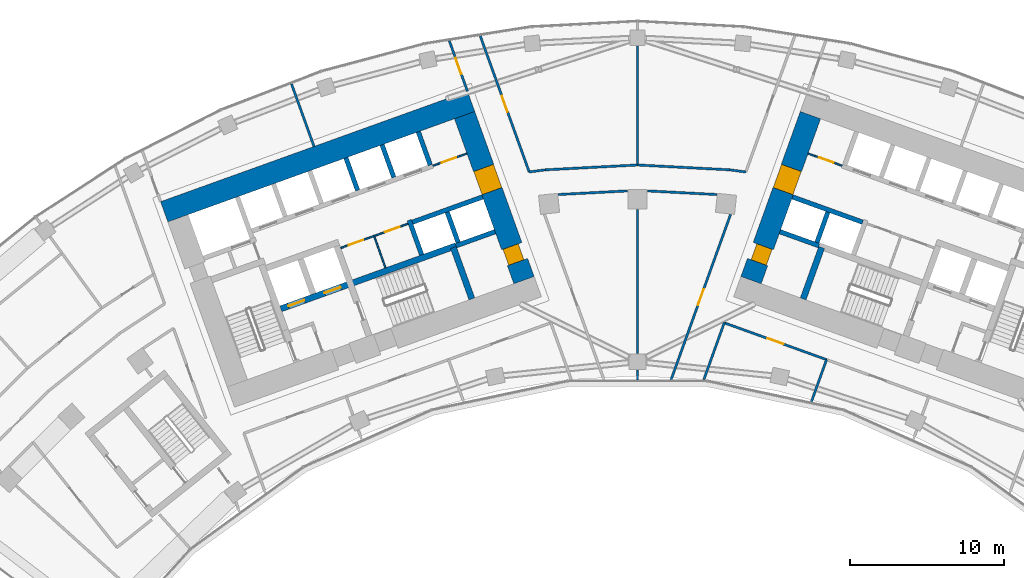
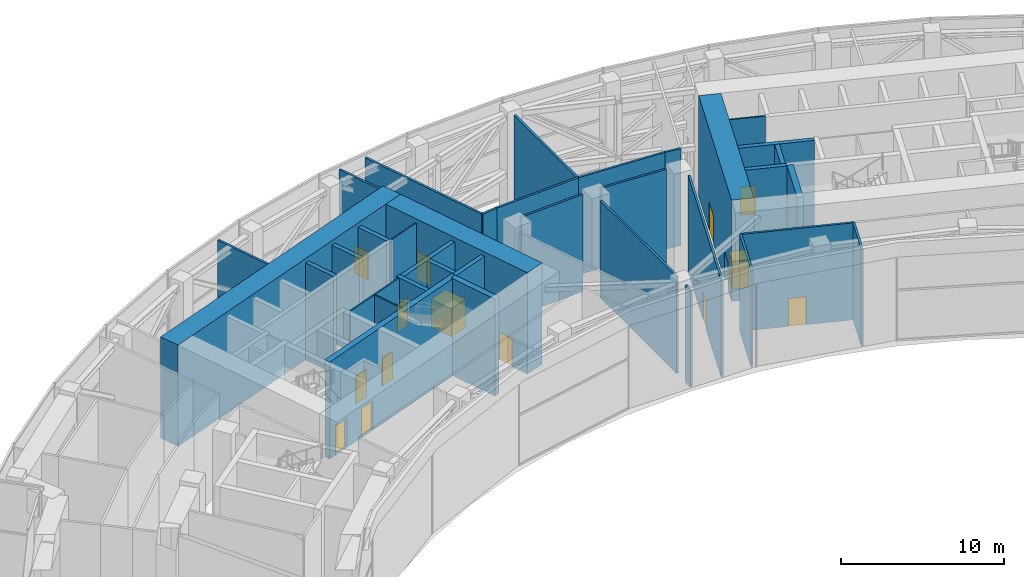
# One storey, part 25 of 32: 36 walls, 14 doors, 14 openings.
"""IFC4 building model written with IfcOpenShell, lengths in metres."""

from ifc_helpers import new_model, si_unit, direction, frame, frame_2d, origin, place, context, subcontext, project, spatial, rectangle, extrude, material, layer, layer_set, type_object, element, fill, save


model = new_model("IFC4")

# Units and contexts
model_context = context("Model", 3, precision=1e-05, world=origin(), true_north=direction((0.0, 1.0)))
body_context = subcontext(model_context, "Body", "Model", "MODEL_VIEW")
ifc_project = project(units=[si_unit("LENGTHUNIT", "METRE"), si_unit("AREAUNIT", "SQUARE_METRE"), si_unit("VOLUMEUNIT", "CUBIC_METRE"), si_unit("PLANEANGLEUNIT", "RADIAN"), si_unit("MASSUNIT", "GRAM", prefix="KILO")], contexts=[model_context])

# Site, building, storey
site_placement = place(None, origin())
site = spatial("IfcSite", under=ifc_project, at=site_placement, CompositionType="ELEMENT")
building_placement = place(site_placement, origin())
building = spatial("IfcBuilding", under=site, at=building_placement, Name="Stone Belt Terrace Tower", CompositionType="ELEMENT")
storey_placement = place(building_placement, frame((0.0, 0.0, 193.39990234375)))
storey = spatial("IfcBuildingStorey", under=building, at=storey_placement, Name="L47", CompositionType="ELEMENT", Elevation=193.39990234375)

# Wall, openings, doors
ifc_material_1 = material(Name="Plasterboard partition")
ifc_layer_1 = layer(ifc_material_1, 0.10009765625)
ifc_layer_set_1 = layer_set([ifc_layer_1], Name="Core partition 100")
wall_type_1 = type_object("IfcWallType", Name="Core partition 100", PredefinedType="PARTITIONING", material=ifc_layer_set_1)
wall_1_placement = place(storey_placement, frame((-19.29052734375, 51.829833984375, 0.0), z_axis=(0.0, 0.0, 1.0), x_axis=(0.940930240745, 0.338600475563, 0.0)))
wall_1 = element("IfcWall", 1, at=wall_1_placement, inside=storey, type_object=wall_type_1, Name="Core A wall", PredefinedType="PARTITIONING", context=body_context, shape_type="SweptSolid", body=[
    extrude(rectangle(XDim=4.64990234375, YDim=0.10009765625, at=frame_2d((2.324951171875, 0.0))), origin(), (0.0, 0.0, 1.0), 7.280029296875),
])
opening_1_placement = place(wall_1_placement, frame((0.550048828125, 0.0, 0.0)))
opening_1 = element("IfcOpeningElement", 2, at=opening_1_placement, cuts=wall_1, Name="Opening L47-C02", PredefinedType="OPENING", context=body_context, shape_type="SweptSolid", body=[
    extrude(rectangle(XDim=1.0, YDim=2.10009765625, at=frame_2d((0.5, 1.050048828125))), frame((0.0, 0.06005859375, 0.0), z_axis=(0.0, -1.0, 0.0), x_axis=(1.0, 0.0, 0.0)), (0.0, 0.0, 1.0), 0.1201171875),
])
opening_2_placement = place(wall_1_placement, frame((3.050048828125, 0.0, 0.0)))
opening_2 = element("IfcOpeningElement", 3, at=opening_2_placement, cuts=wall_1, Name="Opening L47-C03", PredefinedType="OPENING", context=body_context, shape_type="SweptSolid", body=[
    extrude(rectangle(XDim=1.0, YDim=2.10009765625, at=frame_2d((0.5, 1.050048828125))), frame((0.0, 0.06005859375, 0.0), z_axis=(0.0, -1.0, 0.0), x_axis=(1.0, 0.0, 0.0)), (0.0, 0.0, 1.0), 0.1201171875),
])
ifc_material_2 = material(Name="Timber door leaf", Category="wood")
door_type_1 = type_object("IfcDoorType", Name="Core room door 1000", OperationType="SINGLE_SWING_LEFT", PredefinedType="DOOR", material=ifc_material_2)
door_1_placement = place(opening_1_placement, origin())
door_1 = element("IfcDoor", 4, at=door_1_placement, inside=storey, type_object=door_type_1, Name="Door to Telecommunications room core A", OperationType="SINGLE_SWING_RIGHT", OverallHeight=2.10009765625, OverallWidth=1.0, PredefinedType="DOOR", context=body_context, shape_type="SweptSolid", body=[
    extrude(rectangle(XDim=1.0, YDim=2.10009765625, at=frame_2d((0.5, 1.050048828125))), frame((0.0, 0.02490234375, 0.0), z_axis=(0.0, -1.0, 0.0), x_axis=(1.0, 0.0, 0.0)), (0.0, 0.0, 1.0), 0.050048828125),
])
fill(opening_1, door_1)
door_2_placement = place(opening_2_placement, origin())
door_2 = element("IfcDoor", 5, at=door_2_placement, inside=storey, type_object=door_type_1, Name="Door to Archive store core A", OperationType="SINGLE_SWING_LEFT", OverallHeight=2.10009765625, OverallWidth=1.0, PredefinedType="DOOR", context=body_context, shape_type="SweptSolid", body=[
    extrude(rectangle(XDim=1.0, YDim=2.10009765625, at=frame_2d((0.5, 1.050048828125))), frame((0.0, 0.02490234375, 0.0), z_axis=(0.0, -1.0, 0.0), x_axis=(1.0, 0.0, 0.0)), (0.0, 0.0, 1.0), 0.050048828125),
])
fill(opening_2, door_2)

# Wall
wall_2_placement = place(storey_placement, frame((-16.38134765625, 50.53857421875, 0.0), z_axis=(0.0, 0.0, 1.0), x_axis=(-0.338622960269, 0.940922149159, 0.0)))
element("IfcWall", 6, at=wall_2_placement, inside=storey, type_object=wall_type_1, Name="Core A wall", PredefinedType="PARTITIONING", context=body_context, shape_type="SweptSolid", body=[
    extrude(rectangle(XDim=2.14990234375, YDim=0.10009765625, at=frame_2d((1.074951171875, 0.0))), origin(), (0.0, 0.0, 1.0), 7.280029296875),
])

# Wall, opening, door
wall_3_placement = place(storey_placement, frame((-13.29638671875, 57.17529296875, 0.0), z_axis=(0.0, 0.0, 1.0), x_axis=(0.940904627055, 0.338671644496, 0.0)))
wall_3 = element("IfcWall", 7, at=wall_3_placement, inside=storey, type_object=wall_type_1, Name="Core A wall", PredefinedType="PARTITIONING", context=body_context, shape_type="SweptSolid", body=[
    extrude(rectangle(XDim=2.35009765625, YDim=0.10009765625, at=frame_2d((1.175048828125, 0.0))), origin(), (0.0, 0.0, 1.0), 7.280029296875),
])
opening_3_placement = place(wall_3_placement, frame((0.60009765625, 0.0, 0.0)))
opening_3 = element("IfcOpeningElement", 8, at=opening_3_placement, cuts=wall_3, Name="Opening L47-C01", PredefinedType="OPENING", context=body_context, shape_type="SweptSolid", body=[
    extrude(rectangle(XDim=1.0, YDim=2.10009765625, at=frame_2d((0.5, 1.050048828125))), frame((0.0, 0.06005859375, 0.0), z_axis=(0.0, -1.0, 0.0), x_axis=(1.0, 0.0, 0.0)), (0.0, 0.0, 1.0), 0.1201171875),
])
door_3_placement = place(opening_3_placement, origin())
door_3 = element("IfcDoor", 9, at=door_3_placement, inside=storey, type_object=door_type_1, Name="Door to Staff pantry core A", OperationType="SINGLE_SWING_RIGHT", OverallHeight=2.10009765625, OverallWidth=1.0, PredefinedType="DOOR", context=body_context, shape_type="SweptSolid", body=[
    extrude(rectangle(XDim=1.0, YDim=2.10009765625, at=frame_2d((0.5, 1.050048828125))), frame((0.0, 0.02490234375, 0.0), z_axis=(0.0, -1.0, 0.0), x_axis=(1.0, 0.0, 0.0)), (0.0, 0.0, 1.0), 0.050048828125),
])
fill(opening_3, door_3)

wall_4_placement = place(storey_placement, frame((13.29638671875, 57.17529296875, 0.0), z_axis=(0.0, 0.0, 1.0), x_axis=(-0.940904627055, 0.338671644496, 0.0)))
wall_4 = element("IfcWall", 10, at=wall_4_placement, inside=storey, type_object=wall_type_1, Name="Core B wall", PredefinedType="PARTITIONING", context=body_context, shape_type="SweptSolid", body=[
    extrude(rectangle(XDim=2.35009765625, YDim=0.10009765625, at=frame_2d((1.175048828125, 0.0))), origin(), (0.0, 0.0, 1.0), 7.280029296875),
])
opening_4_placement = place(wall_4_placement, frame((0.60009765625, 0.0, 0.0)))
opening_4 = element("IfcOpeningElement", 11, at=opening_4_placement, cuts=wall_4, Name="Opening L47-C13", PredefinedType="OPENING", context=body_context, shape_type="SweptSolid", body=[
    extrude(rectangle(XDim=1.0, YDim=2.10009765625, at=frame_2d((0.5, 1.050048828125))), frame((0.0, 0.06005859375, 0.0), z_axis=(0.0, -1.0, 0.0), x_axis=(1.0, 0.0, 0.0)), (0.0, 0.0, 1.0), 0.1201171875),
])
door_4_placement = place(opening_4_placement, origin())
door_4 = element("IfcDoor", 12, at=door_4_placement, inside=storey, type_object=door_type_1, Name="Door to Staff pantry core B", OperationType="SINGLE_SWING_LEFT", OverallHeight=2.10009765625, OverallWidth=1.0, PredefinedType="DOOR", context=body_context, shape_type="SweptSolid", body=[
    extrude(rectangle(XDim=1.0, YDim=2.10009765625, at=frame_2d((0.5, 1.050048828125))), frame((0.0, 0.02490234375, 0.0), z_axis=(0.0, -1.0, 0.0), x_axis=(1.0, 0.0, 0.0)), (0.0, 0.0, 1.0), 0.050048828125),
])
fill(opening_4, door_4)

# Wall
ifc_material_3 = material(Name="Concrete B80", Category="concrete")
ifc_layer_2 = layer(ifc_material_3, 1.39990234375)
ifc_layer_set_2 = layer_set([ifc_layer_2], Name="Core wall 1400 B80")
wall_type_2 = type_object("IfcWallType", Name="Core wall 1400 B80", PredefinedType="SHEAR", material=ifc_layer_set_2)
wall_5_placement = place(storey_placement, frame((-30.765380859375, 54.18310546875, 0.0), z_axis=(0.0, 0.0, 1.0), x_axis=(0.940919704758, 0.338629752382, 0.0)))
element("IfcWall", 13, at=wall_5_placement, inside=storey, type_object=wall_type_2, Name="Core A wall convex L47", PredefinedType="SHEAR", context=body_context, shape_type="SweptSolid", body=[
    extrude(rectangle(XDim=21.199951171875, YDim=1.39990234375, at=frame_2d((10.60009765625, 0.0))), origin(), (0.0, 0.0, 1.0), 7.60009765625),
])

# Wall, openings, doors
wall_6_placement = place(storey_placement, frame((-7.379150390625, 49.73974609375, 0.0), z_axis=(0.0, 0.0, 1.0), x_axis=(-0.338625431531, 0.940921259788, 0.0)))
wall_6 = element("IfcWall", 14, at=wall_6_placement, inside=storey, type_object=wall_type_2, Name="Core A wall end_b L47", PredefinedType="SHEAR", context=body_context, shape_type="SweptSolid", body=[
    extrude(rectangle(XDim=11.400146484375, YDim=1.39990234375, at=frame_2d((5.7001953125, 0.0))), origin(), (0.0, 0.0, 1.0), 7.60009765625),
])
opening_5_placement = place(wall_6_placement, frame((6.14990234375, 0.0, 0.0)))
opening_5 = element("IfcOpeningElement", 15, at=opening_5_placement, cuts=wall_6, Name="Opening L47-C06", PredefinedType="OPENING", context=body_context, shape_type="SweptSolid", body=[
    extrude(rectangle(XDim=1.60009765625, YDim=2.10009765625, at=frame_2d((0.800048828125, 1.050048828125))), frame((0.0, 0.7099609375, 0.0), z_axis=(0.0, -1.0, 0.0), x_axis=(1.0, 0.0, 0.0)), (0.0, 0.0, 1.0), 1.419921875),
])
opening_6_placement = place(wall_6_placement, frame((1.25, 0.0, 0.0)))
opening_6 = element("IfcOpeningElement", 16, at=opening_6_placement, cuts=wall_6, Name="Opening L47-C12", PredefinedType="OPENING", context=body_context, shape_type="SweptSolid", body=[
    extrude(rectangle(XDim=1.10009765625, YDim=2.10009765625, at=frame_2d((0.550048828125, 1.050048828125))), frame((0.0, 0.7099609375, 0.0), z_axis=(0.0, -1.0, 0.0), x_axis=(1.0, 0.0, 0.0)), (0.0, 0.0, 1.0), 1.419921875),
])
door_type_2 = type_object("IfcDoorType", Name="Core room door 1100", OperationType="SINGLE_SWING_LEFT", PredefinedType="DOOR", material=ifc_material_2)
door_5_placement = place(opening_6_placement, origin())
door_5 = element("IfcDoor", 17, at=door_5_placement, inside=storey, type_object=door_type_2, Name="Door to Mechanical plant room core A", OperationType="SINGLE_SWING_RIGHT", OverallHeight=2.10009765625, OverallWidth=1.10009765625, PredefinedType="DOOR", context=body_context, shape_type="SweptSolid", body=[
    extrude(rectangle(XDim=1.10009765625, YDim=2.10009765625, at=frame_2d((0.550048828125, 1.050048828125))), frame((0.0, 0.60498046875, 0.0), z_axis=(0.0, -1.0, 0.0), x_axis=(1.0, 0.0, 0.0)), (0.0, 0.0, 1.0), 1.050048828125),
])
fill(opening_6, door_5)
ifc_material_4 = material(Name="Glazed aluminium door leaf", Category="aluminium")
door_type_3 = type_object("IfcDoorType", Name="Lift lobby entrance door 1600", OperationType="DOUBLE_DOOR_SINGLE_SWING", PredefinedType="DOOR", material=ifc_material_4)
door_6_placement = place(opening_5_placement, origin())
door_6 = element("IfcDoor", 18, at=door_6_placement, inside=storey, type_object=door_type_3, Name="Lift lobby entrance door core A", OperationType="DOUBLE_DOOR_SINGLE_SWING", OverallHeight=2.10009765625, OverallWidth=1.60009765625, PredefinedType="DOOR", context=body_context, shape_type="SweptSolid", body=[
    extrude(rectangle(XDim=1.60009765625, YDim=2.10009765625, at=frame_2d((0.800048828125, 1.050048828125))), frame((0.0, 0.68017578125, 0.0), z_axis=(0.0, -1.0, 0.0), x_axis=(1.0, 0.0, 0.0)), (0.0, 0.0, 1.0), 1.360107421875),
])
fill(opening_5, door_6)

wall_7_placement = place(storey_placement, frame((7.379150390625, 49.73974609375, 0.0), z_axis=(0.0, 0.0, 1.0), x_axis=(0.338625431531, 0.940921259788, 0.0)))
wall_7 = element("IfcWall", 19, at=wall_7_placement, inside=storey, type_object=wall_type_2, Name="Core B wall end_a L47", PredefinedType="SHEAR", context=body_context, shape_type="SweptSolid", body=[
    extrude(rectangle(XDim=11.400146484375, YDim=1.39990234375, at=frame_2d((5.7001953125, 0.0))), origin(), (0.0, 0.0, 1.0), 7.60009765625),
])
opening_7_placement = place(wall_7_placement, frame((6.14990234375, 0.0, 0.0)))
opening_7 = element("IfcOpeningElement", 20, at=opening_7_placement, cuts=wall_7, Name="Opening L47-C18", PredefinedType="OPENING", context=body_context, shape_type="SweptSolid", body=[
    extrude(rectangle(XDim=1.60009765625, YDim=2.10009765625, at=frame_2d((0.800048828125, 1.050048828125))), frame((0.0, 0.7099609375, 0.0), z_axis=(0.0, -1.0, 0.0), x_axis=(1.0, 0.0, 0.0)), (0.0, 0.0, 1.0), 1.419921875),
])
opening_8_placement = place(wall_7_placement, frame((1.25, 0.0, 0.0)))
opening_8 = element("IfcOpeningElement", 21, at=opening_8_placement, cuts=wall_7, Name="Opening L47-C24", PredefinedType="OPENING", context=body_context, shape_type="SweptSolid", body=[
    extrude(rectangle(XDim=1.10009765625, YDim=2.10009765625, at=frame_2d((0.550048828125, 1.050048828125))), frame((0.0, 0.7099609375, 0.0), z_axis=(0.0, -1.0, 0.0), x_axis=(1.0, 0.0, 0.0)), (0.0, 0.0, 1.0), 1.419921875),
])
door_7_placement = place(opening_8_placement, origin())
door_7 = element("IfcDoor", 22, at=door_7_placement, inside=storey, type_object=door_type_2, Name="Door to Mechanical plant room core B", OperationType="SINGLE_SWING_LEFT", OverallHeight=2.10009765625, OverallWidth=1.10009765625, PredefinedType="DOOR", context=body_context, shape_type="SweptSolid", body=[
    extrude(rectangle(XDim=1.10009765625, YDim=2.10009765625, at=frame_2d((0.550048828125, 1.050048828125))), frame((0.0, 0.44482421875, 0.0), z_axis=(0.0, -1.0, 0.0), x_axis=(1.0, 0.0, 0.0)), (0.0, 0.0, 1.0), 1.050048828125),
])
fill(opening_8, door_7)
door_8_placement = place(opening_7_placement, origin())
door_8 = element("IfcDoor", 23, at=door_8_placement, inside=storey, type_object=door_type_3, Name="Lift lobby entrance door core B", OperationType="DOUBLE_DOOR_SINGLE_SWING", OverallHeight=2.10009765625, OverallWidth=1.60009765625, PredefinedType="DOOR", context=body_context, shape_type="SweptSolid", body=[
    extrude(rectangle(XDim=1.60009765625, YDim=2.10009765625, at=frame_2d((0.800048828125, 1.050048828125))), frame((0.0, 0.68017578125, 0.0), z_axis=(0.0, -1.0, 0.0), x_axis=(1.0, 0.0, 0.0)), (0.0, 0.0, 1.0), 1.360107421875),
])
fill(opening_7, door_8)

# Walls
ifc_layer_3 = layer(ifc_material_3, 0.300048828125)
ifc_layer_set_3 = layer_set([ifc_layer_3], Name="Lift shaft wall 300")
wall_type_3 = type_object("IfcWallType", Name="Lift shaft wall 300", PredefinedType="SHEAR", material=ifc_layer_set_3)
wall_8_placement = place(storey_placement, frame((-18.193115234375, 55.572509765625, 0.0), z_axis=(0.0, 0.0, 1.0), x_axis=(-0.338535034312, 0.940953787677, 0.0)))
element("IfcWall", 24, at=wall_8_placement, inside=storey, type_object=wall_type_3, Name="Core A wall", PredefinedType="SHEAR", context=body_context, shape_type="SweptSolid", body=[
    extrude(rectangle(XDim=2.25, YDim=0.300048828125, at=frame_2d((1.125, 0.0))), origin(), (0.0, 0.0, 1.0), 7.280029296875),
])
wall_9_placement = place(storey_placement, frame((-14.029052734375, 51.38525390625, 0.0), z_axis=(0.0, 0.0, 1.0), x_axis=(-0.338661829791, 0.940908159728, 0.0)))
element("IfcWall", 25, at=wall_9_placement, inside=storey, type_object=wall_type_3, Name="Core A wall", PredefinedType="SHEAR", context=body_context, shape_type="SweptSolid", body=[
    extrude(rectangle(XDim=2.39990234375, YDim=0.300048828125, at=frame_2d((1.199951171875, 0.0))), origin(), (0.0, 0.0, 1.0), 7.280029296875),
])
wall_10_placement = place(storey_placement, frame((-14.6328125, 53.506103515625, 0.0), z_axis=(0.0, 0.0, 1.0), x_axis=(0.940931684323, 0.338596464007, 0.0)))
element("IfcWall", 26, at=wall_10_placement, inside=storey, type_object=wall_type_3, Name="Core A wall", PredefinedType="SHEAR", context=body_context, shape_type="SweptSolid", body=[
    extrude(rectangle(XDim=4.849609375, YDim=0.300048828125, at=frame_2d((2.4248046875, 0.0))), origin(), (0.0, 0.0, 1.0), 7.280029296875),
])
wall_11_placement = place(storey_placement, frame((-15.8408203125, 56.419189453125, 0.0), z_axis=(0.0, 0.0, 1.0), x_axis=(-0.338569601369, 0.940941350472, 0.0)))
element("IfcWall", 27, at=wall_11_placement, inside=storey, type_object=wall_type_3, Name="Core A wall", PredefinedType="SHEAR", context=body_context, shape_type="SweptSolid", body=[
    extrude(rectangle(XDim=2.249755859375, YDim=0.300048828125, at=frame_2d((1.125, 0.0))), origin(), (0.0, 0.0, 1.0), 7.280029296875),
])
wall_12_placement = place(storey_placement, frame((-11.797119140625, 51.975830078125, 0.0), z_axis=(0.0, 0.0, 1.0), x_axis=(0.940910465161, 0.33865542451, 0.0)))
element("IfcWall", 28, at=wall_12_placement, inside=storey, type_object=wall_type_3, Name="Core A wall", PredefinedType="SHEAR", context=body_context, shape_type="SweptSolid", body=[
    extrude(rectangle(XDim=2.69970703125, YDim=0.300048828125, at=frame_2d((1.349853515625, 0.0))), origin(), (0.0, 0.0, 1.0), 7.280029296875),
])
wall_13_placement = place(storey_placement, frame((-11.659912109375, 52.184814453125, 0.0), z_axis=(0.0, 0.0, 1.0), x_axis=(-0.338670064856, 0.940905195634, 0.0)))
element("IfcWall", 29, at=wall_13_placement, inside=storey, type_object=wall_type_3, Name="Core A wall", PredefinedType="SHEAR", context=body_context, shape_type="SweptSolid", body=[
    extrude(rectangle(XDim=2.099853515625, YDim=0.300048828125, at=frame_2d((1.0498046875, 0.0))), origin(), (0.0, 0.0, 1.0), 7.280029296875),
])
wall_14_placement = place(storey_placement, frame((-13.471435546875, 57.218505859375, 0.0), z_axis=(0.0, 0.0, 1.0), x_axis=(-0.338587917, 0.940934759939, 0.0)))
element("IfcWall", 30, at=wall_14_placement, inside=storey, type_object=wall_type_3, Name="Core A wall", PredefinedType="SHEAR", context=body_context, shape_type="SweptSolid", body=[
    extrude(rectangle(XDim=2.300048828125, YDim=0.300048828125, at=frame_2d((1.14990234375, 0.0))), origin(), (0.0, 0.0, 1.0), 7.280029296875),
])
wall_15_placement = place(storey_placement, frame((14.6328125, 53.506103515625, 0.0), z_axis=(0.0, 0.0, 1.0), x_axis=(-0.940931684323, 0.338596464007, 0.0)))
element("IfcWall", 31, at=wall_15_placement, inside=storey, type_object=wall_type_3, Name="Core B wall", PredefinedType="SHEAR", context=body_context, shape_type="SweptSolid", body=[
    extrude(rectangle(XDim=4.849609375, YDim=0.300048828125, at=frame_2d((2.4248046875, 0.0))), origin(), (0.0, 0.0, 1.0), 7.280029296875),
])
wall_16_placement = place(storey_placement, frame((11.797119140625, 51.975830078125, 0.0), z_axis=(0.0, 0.0, 1.0), x_axis=(-0.940910465161, 0.33865542451, 0.0)))
element("IfcWall", 32, at=wall_16_placement, inside=storey, type_object=wall_type_3, Name="Core B wall", PredefinedType="SHEAR", context=body_context, shape_type="SweptSolid", body=[
    extrude(rectangle(XDim=2.69970703125, YDim=0.300048828125, at=frame_2d((1.349853515625, 0.0))), origin(), (0.0, 0.0, 1.0), 7.280029296875),
])
wall_17_placement = place(storey_placement, frame((11.659912109375, 52.184814453125, 0.0), z_axis=(0.0, 0.0, 1.0), x_axis=(0.338670064856, 0.940905195634, 0.0)))
element("IfcWall", 33, at=wall_17_placement, inside=storey, type_object=wall_type_3, Name="Core B wall", PredefinedType="SHEAR", context=body_context, shape_type="SweptSolid", body=[
    extrude(rectangle(XDim=2.099853515625, YDim=0.300048828125, at=frame_2d((1.0498046875, 0.0))), origin(), (0.0, 0.0, 1.0), 7.280029296875),
])

# Wall, opening, door
ifc_material_5 = material(Name="Gypsum board partition")
ifc_layer_4 = layer(ifc_material_5, 0.14990234375)
ifc_layer_set_4 = layer_set([ifc_layer_4], Name="PARTITION 150 EI 60")
wall_type_4 = type_object("IfcWallType", Name="PARTITION 150 EI 60", PredefinedType="PARTITIONING", material=ifc_layer_set_4)
wall_18_placement = place(storey_placement, frame((-11.054931640625, 62.02099609375, 0.0), z_axis=(0.0, 0.0, 1.0), x_axis=(-0.338853532575, 0.94083913793, 0.0)))
wall_18 = element("IfcWall", 34, at=wall_18_placement, inside=storey, type_object=wall_type_4, Name="L47/wall/i009", PredefinedType="PARTITIONING", context=body_context, shape_type="SweptSolid", body=[
    extrude(rectangle(XDim=3.482177734375, YDim=0.14990234375, at=frame_2d((1.7412109375, 0.0))), origin(), (0.0, 0.0, 1.0), 7.280029296875),
])
opening_9_placement = place(wall_18_placement, frame((1.19091796875, 0.0, 0.0)))
opening_9 = element("IfcOpeningElement", 35, at=opening_9_placement, cuts=wall_18, Name="Opening D-T3-05", PredefinedType="OPENING", context=body_context, shape_type="SweptSolid", body=[
    extrude(rectangle(XDim=1.10009765625, YDim=2.10009765625, at=frame_2d((0.550048828125, 1.050048828125))), frame((0.0, 0.0849609375, 0.0), z_axis=(0.0, -1.0, 0.0), x_axis=(1.0, 0.0, 0.0)), (0.0, 0.0, 1.0), 0.169921875),
])
ifc_material_6 = material(Name="Steel fire door set", Category="steel")
door_type_4 = type_object("IfcDoorType", Name="SERVICE ROOM DOOR 1100 X 2100", OperationType="NOTDEFINED", PredefinedType="DOOR", material=ifc_material_6)
door_9_placement = place(opening_9_placement, origin())
door_9 = element("IfcDoor", 36, at=door_9_placement, inside=storey, type_object=door_type_4, Name="L47/door/i05", OperationType="SINGLE_SWING_RIGHT", OverallHeight=2.10009765625, OverallWidth=1.10009765625, PredefinedType="DOOR", context=body_context, shape_type="SweptSolid", body=[
    extrude(rectangle(XDim=1.10009765625, YDim=2.10009765625, at=frame_2d((0.550048828125, 1.050048828125))), frame((0.0, 0.02490234375, 0.0), z_axis=(0.0, -1.0, 0.0), x_axis=(1.0, 0.0, 0.0)), (0.0, 0.0, 1.0), 0.050048828125),
])
fill(opening_9, door_9)

wall_19_placement = place(storey_placement, frame((-10.223876953125, 65.6162109375, 0.0), z_axis=(0.0, 0.0, 1.0), x_axis=(0.338637655092, -0.940916860596, 0.0)))
wall_19 = element("IfcWall", 37, at=wall_19_placement, inside=storey, type_object=wall_type_4, Name="L47/wall/i011", PredefinedType="PARTITIONING", context=body_context, shape_type="SweptSolid", body=[
    extrude(rectangle(XDim=9.40478515625, YDim=0.14990234375, at=frame_2d((4.702392578125, 0.0))), origin(), (0.0, 0.0, 1.0), 7.280029296875),
])
opening_10_placement = place(wall_19_placement, frame((4.15234375, 0.0, 0.0)))
opening_10 = element("IfcOpeningElement", 38, at=opening_10_placement, cuts=wall_19, Name="Opening D-T3-28", PredefinedType="OPENING", context=body_context, shape_type="SweptSolid", body=[
    extrude(rectangle(XDim=1.10009765625, YDim=2.10009765625, at=frame_2d((0.550048828125, 1.050048828125))), frame((0.0, 0.0849609375, 0.0), z_axis=(0.0, -1.0, 0.0), x_axis=(1.0, 0.0, 0.0)), (0.0, 0.0, 1.0), 0.169921875),
])
door_10_placement = place(opening_10_placement, origin())
door_10 = element("IfcDoor", 39, at=door_10_placement, inside=storey, type_object=door_type_4, Name="L47/door/i28", OperationType="SINGLE_SWING_RIGHT", OverallHeight=2.10009765625, OverallWidth=1.10009765625, PredefinedType="DOOR", context=body_context, shape_type="SweptSolid", body=[
    extrude(rectangle(XDim=1.10009765625, YDim=2.10009765625, at=frame_2d((0.550048828125, 1.050048828125))), frame((0.0, 0.02490234375, 0.0), z_axis=(0.0, -1.0, 0.0), x_axis=(1.0, 0.0, 0.0)), (0.0, 0.0, 1.0), 0.050048828125),
])
fill(opening_10, door_10)

# Walls
wall_20_placement = place(storey_placement, frame((-22.492919921875, 62.4990234375, 0.0), z_axis=(0.0, 0.0, 1.0), x_axis=(0.338585491978, -0.94093563256, 0.0)))
element("IfcWall", 40, at=wall_20_placement, inside=storey, type_object=wall_type_4, Name="L47/wall/i018", PredefinedType="PARTITIONING", context=body_context, shape_type="SweptSolid", body=[
    extrude(rectangle(XDim=4.323486328125, YDim=0.14990234375, at=frame_2d((2.16162109375, 0.0))), origin(), (0.0, 0.0, 1.0), 7.280029296875),
])
wall_21_placement = place(storey_placement, frame((5.638916015625, 46.971923828125, 0.0), z_axis=(0.0, 0.0, 1.0), x_axis=(-0.338490436495, -0.940969831823, 0.0)))
element("IfcWall", 41, at=wall_21_placement, inside=storey, type_object=wall_type_4, Name="L47/wall/i019", PredefinedType="PARTITIONING", context=body_context, shape_type="SweptSolid", body=[
    extrude(rectangle(XDim=3.92578125, YDim=0.14990234375, at=frame_2d((1.962890625, 0.0))), origin(), (0.0, 0.0, 1.0), 7.280029296875),
])

# Wall, opening, door
wall_22_placement = place(storey_placement, frame((2.1787109375, 43.26171875, 0.0), z_axis=(0.0, 0.0, 1.0), x_axis=(0.338658916341, 0.940909208363, 0.0)))
wall_22 = element("IfcWall", 42, at=wall_22_placement, inside=storey, type_object=wall_type_4, Name="L47/wall/i021", PredefinedType="PARTITIONING", context=body_context, shape_type="SweptSolid", body=[
    extrude(rectangle(XDim=11.422119140625, YDim=0.14990234375, at=frame_2d((5.7109375, 0.0))), origin(), (0.0, 0.0, 1.0), 7.280029296875),
])
opening_11_placement = place(wall_22_placement, frame((5.1611328125, 0.0, 0.0)))
opening_11 = element("IfcOpeningElement", 43, at=opening_11_placement, cuts=wall_22, Name="Opening D-T3-27", PredefinedType="OPENING", context=body_context, shape_type="SweptSolid", body=[
    extrude(rectangle(XDim=1.10009765625, YDim=2.10009765625, at=frame_2d((0.550048828125, 1.050048828125))), frame((0.0, 0.0849609375, 0.0), z_axis=(0.0, -1.0, 0.0), x_axis=(1.0, 0.0, 0.0)), (0.0, 0.0, 1.0), 0.169921875),
])
door_11_placement = place(opening_11_placement, origin())
door_11 = element("IfcDoor", 44, at=door_11_placement, inside=storey, type_object=door_type_4, Name="L47/door/i27", OperationType="SINGLE_SWING_RIGHT", OverallHeight=2.10009765625, OverallWidth=1.10009765625, PredefinedType="DOOR", context=body_context, shape_type="SweptSolid", body=[
    extrude(rectangle(XDim=1.10009765625, YDim=2.10009765625, at=frame_2d((0.550048828125, 1.050048828125))), frame((0.0, 0.02490234375, 0.0), z_axis=(0.0, -1.0, 0.0), x_axis=(1.0, 0.0, 0.0)), (0.0, 0.0, 1.0), 0.050048828125),
])
fill(opening_11, door_11)

wall_23_placement = place(storey_placement, frame((12.2919921875, 44.571044921875, 0.0), z_axis=(0.0, 0.0, 1.0), x_axis=(-0.940923049066, 0.338620459714, 0.0)))
wall_23 = element("IfcWall", 45, at=wall_23_placement, inside=storey, type_object=wall_type_4, Name="L47/wall/i029", PredefinedType="PARTITIONING", context=body_context, shape_type="SweptSolid", body=[
    extrude(rectangle(XDim=7.07275390625, YDim=0.14990234375, at=frame_2d((3.536376953125, 0.0))), origin(), (0.0, 0.0, 1.0), 7.280029296875),
])
opening_12_placement = place(wall_23_placement, frame((2.986328125, 0.0, 0.0)))
opening_12 = element("IfcOpeningElement", 46, at=opening_12_placement, cuts=wall_23, Name="Opening D-T3-06", PredefinedType="OPENING", context=body_context, shape_type="SweptSolid", body=[
    extrude(rectangle(XDim=1.10009765625, YDim=2.10009765625, at=frame_2d((0.550048828125, 1.050048828125))), frame((0.0, 0.0849609375, 0.0), z_axis=(0.0, -1.0, 0.0), x_axis=(1.0, 0.0, 0.0)), (0.0, 0.0, 1.0), 0.169921875),
])
door_12_placement = place(opening_12_placement, origin())
door_12 = element("IfcDoor", 47, at=door_12_placement, inside=storey, type_object=door_type_4, Name="L47/door/i06", OperationType="SINGLE_SWING_RIGHT", OverallHeight=2.10009765625, OverallWidth=1.10009765625, PredefinedType="DOOR", context=body_context, shape_type="SweptSolid", body=[
    extrude(rectangle(XDim=1.10009765625, YDim=2.10009765625, at=frame_2d((0.550048828125, 1.050048828125))), frame((0.0, 0.02490234375, 0.0), z_axis=(0.0, -1.0, 0.0), x_axis=(1.0, 0.0, 0.0)), (0.0, 0.0, 1.0), 0.050048828125),
])
fill(opening_12, door_12)

# Walls
wall_24_placement = place(storey_placement, frame((12.285888671875, 44.572998046875, 0.0), z_axis=(0.0, 0.0, 1.0), x_axis=(-0.33837582911, -0.94101105109, 0.0)))
element("IfcWall", 48, at=wall_24_placement, inside=storey, type_object=wall_type_4, Name="L47/wall/i032", PredefinedType="PARTITIONING", context=body_context, shape_type="SweptSolid", body=[
    extrude(rectangle(XDim=2.91845703125, YDim=0.14990234375, at=frame_2d((1.459228515625, 0.0))), origin(), (0.0, 0.0, 1.0), 7.280029296875),
])
for number, where, z_axis, x_axis, name in (
    (49, (-0.655029296875, 55.540771484375, 0.0), (0.0, 0.0, 1.0), (-0.99863186448, -0.052291483489, 0.0), "L47/wall/i072"),
    (50, (5.154296875, 55.30517578125, 0.0), (0.0, 0.0, 1.0), (-0.99863186448, 0.052291483489, 0.0), "L47/wall/i073"),
):
    element("IfcWall", number, at=place(storey_placement, frame(where, z_axis=z_axis, x_axis=x_axis)), inside=storey, type_object=wall_type_4, Name=name, PredefinedType="PARTITIONING", context=body_context, shape_type="SweptSolid", body=[
        extrude(rectangle(XDim=4.50537109375, YDim=0.14990234375, at=frame_2d((2.252685546875, 0.0))), origin(), (0.0, 0.0, 1.0), 7.280029296875),
    ])
wall_25_placement = place(storey_placement, frame((-7.041015625, 56.77294921875, 0.0), z_axis=(0.0, 0.0, 1.0), x_axis=(0.991477617634, 0.130277142013, 0.0)))
element("IfcWall", 51, at=wall_25_placement, inside=storey, type_object=wall_type_4, Name="L47/wall/i074", PredefinedType="PARTITIONING", context=body_context, shape_type="SweptSolid", body=[
    extrude(rectangle(XDim=1.068115234375, YDim=0.14990234375, at=frame_2d((0.5341796875, 0.0))), origin(), (0.0, 0.0, 1.0), 7.280029296875),
])
for number, where, z_axis, x_axis, name in (
    (52, (-5.98193359375, 56.912109375, 0.0), (0.0, 0.0, 1.0), (0.998633994648, 0.052250786921, 0.0), "L47/wall/i075"),
    (53, (0.0, 57.22509765625, 0.0), (0.0, 0.0, 1.0), (0.998633994648, -0.052250786921, 0.0), "L47/wall/i076"),
):
    element("IfcWall", number, at=place(storey_placement, frame(where, z_axis=z_axis, x_axis=x_axis)), inside=storey, type_object=wall_type_4, Name=name, PredefinedType="PARTITIONING", context=body_context, shape_type="SweptSolid", body=[
        extrude(rectangle(XDim=5.990234375, YDim=0.14990234375, at=frame_2d((2.9951171875, 0.0))), origin(), (0.0, 0.0, 1.0), 7.280029296875),
    ])
wall_26_placement = place(storey_placement, frame((5.98193359375, 56.912109375, 0.0), z_axis=(0.0, 0.0, 1.0), x_axis=(0.991477617634, -0.130277142013, 0.0)))
element("IfcWall", 54, at=wall_26_placement, inside=storey, type_object=wall_type_4, Name="L47/wall/i077", PredefinedType="PARTITIONING", context=body_context, shape_type="SweptSolid", body=[
    extrude(rectangle(XDim=1.068115234375, YDim=0.14990234375, at=frame_2d((0.5341796875, 0.0))), origin(), (0.0, 0.0, 1.0), 7.280029296875),
])
wall_27_placement = place(storey_placement, frame((0.0, 54.344970703125, 0.0), z_axis=(0.0, 0.0, 1.0), x_axis=(0.0, -1.0, 0.0)))
element("IfcWall", 55, at=wall_27_placement, inside=storey, type_object=wall_type_4, Name="L47/wall/i078", PredefinedType="PARTITIONING", context=body_context, shape_type="SweptSolid", body=[
    extrude(rectangle(XDim=9.369873046875, YDim=0.14990234375, at=frame_2d((4.68505859375, 0.0))), origin(), (0.0, 0.0, 1.0), 7.280029296875),
])
wall_28_placement = place(storey_placement, frame((0.0, 43.9150390625, 0.0), z_axis=(0.0, 0.0, 1.0), x_axis=(0.0, -1.0, 0.0)))
element("IfcWall", 56, at=wall_28_placement, inside=storey, type_object=wall_type_4, Name="L47/wall/i079", PredefinedType="PARTITIONING", context=body_context, shape_type="SweptSolid", body=[
    extrude(rectangle(XDim=0.6533203125, YDim=0.14990234375, at=frame_2d((0.32666015625, 0.0))), origin(), (0.0, 0.0, 1.0), 7.280029296875),
])
wall_29_placement = place(storey_placement, frame((0.0, 64.958984375, 0.0), z_axis=(0.0, 0.0, 1.0), x_axis=(0.0, -1.0, 0.0)))
element("IfcWall", 57, at=wall_29_placement, inside=storey, type_object=wall_type_4, Name="L47/wall/i081", PredefinedType="PARTITIONING", context=body_context, shape_type="SweptSolid", body=[
    extrude(rectangle(XDim=7.73388671875, YDim=0.14990234375, at=frame_2d((3.866943359375, 0.0))), origin(), (0.0, 0.0, 1.0), 7.280029296875),
])

# Wall, openings, doors
ifc_layer_5 = layer(ifc_material_3, 0.39990234375)
ifc_layer_set_5 = layer_set([ifc_layer_5], Name="Stair enclosure wall 400")
wall_type_5 = type_object("IfcWallType", Name="Stair enclosure wall 400", PredefinedType="SHEAR", material=ifc_layer_set_5)
wall_30_placement = place(storey_placement, frame((-23.182373046875, 47.87841796875, 0.0), z_axis=(0.0, 0.0, 1.0), x_axis=(0.940921101762, 0.338625870628, 0.0)))
wall_30 = element("IfcWall", 58, at=wall_30_placement, inside=storey, type_object=wall_type_5, Name="Core A wall", PredefinedType="SHEAR", context=body_context, shape_type="SweptSolid", body=[
    extrude(rectangle(XDim=12.10009765625, YDim=0.39990234375, at=frame_2d((6.050048828125, 0.0))), origin(), (0.0, 0.0, 1.0), 7.280029296875),
])
opening_13_placement = place(wall_30_placement, frame((0.52001953125, 0.0, 0.0)))
opening_13 = element("IfcOpeningElement", 59, at=opening_13_placement, cuts=wall_30, Name="Opening L47-LD06", PredefinedType="OPENING", context=body_context, shape_type="SweptSolid", body=[
    extrude(rectangle(XDim=1.10009765625, YDim=2.199951171875, at=frame_2d((0.550048828125, 1.10009765625))), frame((0.0, 0.2099609375, 0.0), z_axis=(0.0, -1.0, 0.0), x_axis=(1.0, 0.0, 0.0)), (0.0, 0.0, 1.0), 0.419921875),
])
opening_14_placement = place(wall_30_placement, frame((3.02001953125, 0.0, 0.0)))
opening_14 = element("IfcOpeningElement", 60, at=opening_14_placement, cuts=wall_30, Name="Opening L47-LD07", PredefinedType="OPENING", context=body_context, shape_type="SweptSolid", body=[
    extrude(rectangle(XDim=1.10009765625, YDim=2.199951171875, at=frame_2d((0.550048828125, 1.10009765625))), frame((0.0, 0.2099609375, 0.0), z_axis=(0.0, -1.0, 0.0), x_axis=(1.0, 0.0, 0.0)), (0.0, 0.0, 1.0), 0.419921875),
])
ifc_material_7 = material(Name="Stainless steel door leaf", Category="steel")
door_type_5 = type_object("IfcDoorType", Name="Landing door 1100", OperationType="SLIDING_TO_LEFT", PredefinedType="DOOR", material=ifc_material_7)
door_13_placement = place(opening_13_placement, origin())
door_13 = element("IfcDoor", 61, at=door_13_placement, inside=storey, type_object=door_type_5, Name="Landing door FF1 core A", OperationType="SLIDING_TO_LEFT", OverallHeight=2.199951171875, OverallWidth=1.10009765625, PredefinedType="DOOR", context=body_context, shape_type="SweptSolid", body=[
    extrude(rectangle(XDim=1.10009765625, YDim=2.199951171875, at=frame_2d((0.550048828125, 1.10009765625))), frame((0.0, 0.02490234375, 0.0), z_axis=(0.0, -1.0, 0.0), x_axis=(1.0, 0.0, 0.0)), (0.0, 0.0, 1.0), 0.050048828125),
])
fill(opening_13, door_13)
door_14_placement = place(opening_14_placement, origin())
door_14 = element("IfcDoor", 62, at=door_14_placement, inside=storey, type_object=door_type_5, Name="Landing door FF2 core A", OperationType="SLIDING_TO_LEFT", OverallHeight=2.199951171875, OverallWidth=1.10009765625, PredefinedType="DOOR", context=body_context, shape_type="SweptSolid", body=[
    extrude(rectangle(XDim=1.10009765625, YDim=2.199951171875, at=frame_2d((0.550048828125, 1.10009765625))), frame((0.0, 0.02490234375, 0.0), z_axis=(0.0, -1.0, 0.0), x_axis=(1.0, 0.0, 0.0)), (0.0, 0.0, 1.0), 0.050048828125),
])
fill(opening_14, door_14)

# Walls
for number, where, z_axis, x_axis, name in (
    (63, (-10.766357421875, 48.520751953125, 0.0), (0.0, 0.0, 1.0), (-0.338626928157, 0.94092072117, 0.0), "Core A wall"),
    (64, (10.766357421875, 48.520751953125, 0.0), (0.0, 0.0, 1.0), (0.338626928157, 0.94092072117, 0.0), "Core B wall"),
):
    element("IfcWall", number, at=place(storey_placement, frame(where, z_axis=z_axis, x_axis=x_axis)), inside=storey, type_object=wall_type_5, Name=name, PredefinedType="SHEAR", context=body_context, shape_type="SweptSolid", body=[
        extrude(rectangle(XDim=3.550048828125, YDim=0.39990234375, at=frame_2d((1.77490234375, 0.0))), origin(), (0.0, 0.0, 1.0), 7.280029296875),
    ])

save(model, "model.ifc")
